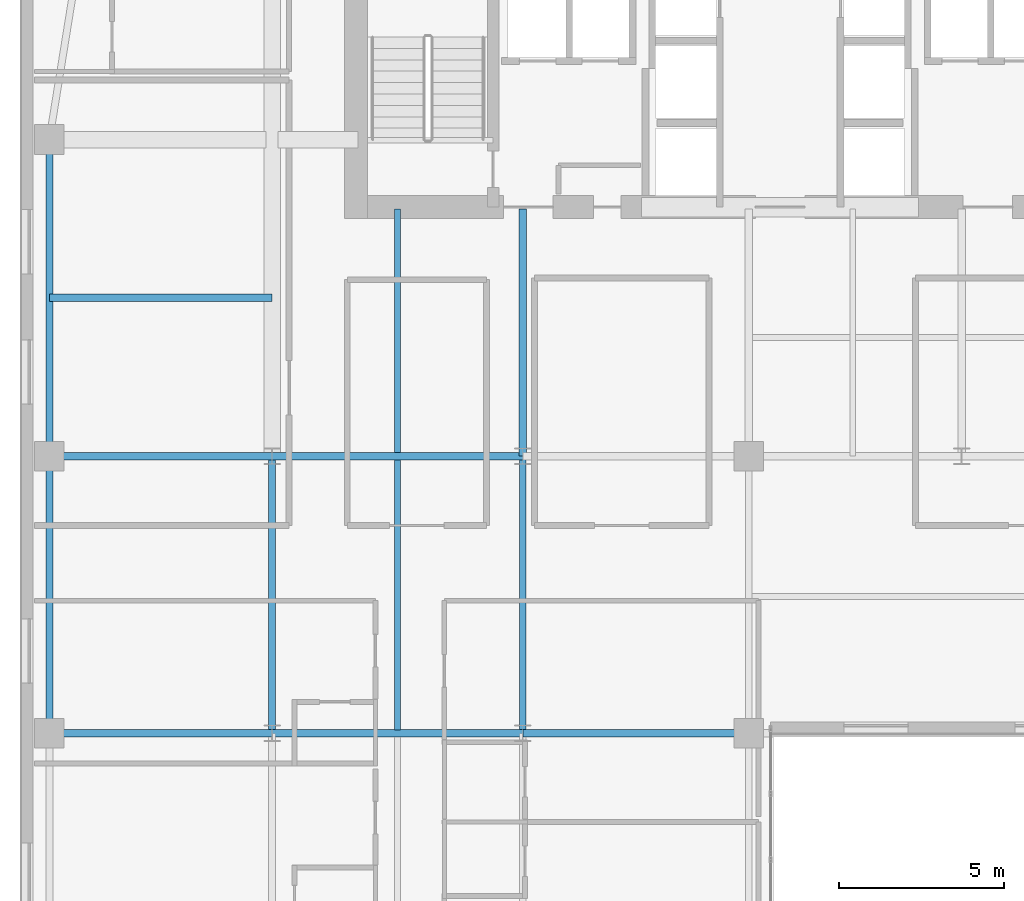
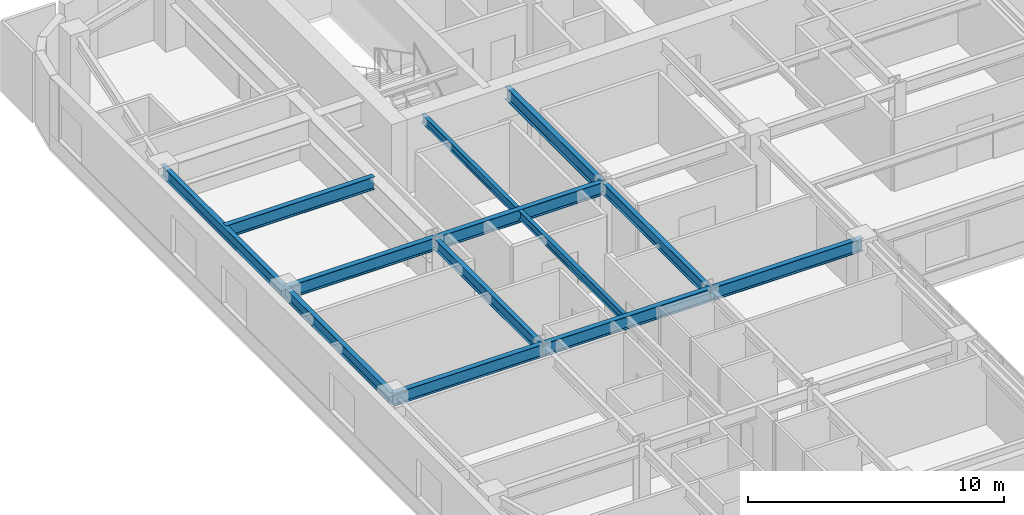
# One storey, part 4 of 25: 13 beams.
"""IFC4 building model written with IfcOpenShell, lengths in metres."""

from ifc_helpers import new_model, si_unit, direction, frame, origin, origin_2d, place, context, subcontext, project, spatial, i_section, extrude, source, transform, mapped, material, material_profile, profile_set, type_object, type_shapes, element, save


model = new_model("IFC4")

# Units and contexts
model_context = context("Model", 3, precision=1e-05, world=origin(), true_north=direction((0.0, 1.0)))
body_context = subcontext(model_context, "Body", "Model", "MODEL_VIEW")
ifc_project = project(units=[si_unit("LENGTHUNIT", "METRE"), si_unit("AREAUNIT", "SQUARE_METRE"), si_unit("VOLUMEUNIT", "CUBIC_METRE"), si_unit("PLANEANGLEUNIT", "RADIAN"), si_unit("MASSUNIT", "GRAM", prefix="KILO")], contexts=[model_context])

# Site, building, storey
site_placement = place(None, origin())
site = spatial("IfcSite", under=ifc_project, at=site_placement, CompositionType="ELEMENT")
building_placement = place(site_placement, origin())
building = spatial("IfcBuilding", under=site, at=building_placement, Name="Tolvann Quenvar Hotel", CompositionType="ELEMENT")
storey_placement = place(building_placement, frame((0.0, 0.0, 132.85009765625)))
storey = spatial("IfcBuildingStorey", under=building, at=storey_placement, Name="L34", CompositionType="ELEMENT", Elevation=132.85009765625)

# Beams
ifc_material = material(Name="Steel Grade 350", Category="steel")
ifc_material_profile_1 = material_profile(ifc_material, i_section(OverallWidth=0.22900390625, OverallDepth=0.612060546875, WebThickness=0.011962890625, FlangeThickness=0.01953125, FilletRadius=0.013916015625, at=origin_2d()), Name="610UB125")
ifc_profile_set_1 = profile_set([ifc_material_profile_1], Name="Steel Grade 350")
beam_type_1 = type_object("IfcBeamType", Name="BM_GIRD_610UB125", PredefinedType="BEAM", material=ifc_profile_set_1)
shared_shape_1 = source(origin(), body_context, "Body", "SweptSolid", [
    extrude(i_section(OverallWidth=0.22900390625, OverallDepth=0.612060546875, WebThickness=0.011962890625, FlangeThickness=0.01953125, FilletRadius=0.013916015625, at=origin_2d()), origin(), (0.0, 0.0, 1.0), 6.75),
])
for number, where, z_axis, x_axis, name in (
    (1, (0.85009765625, 16.0, 3.06396484375), (1.0, 0.0, 0.0), (0.0, 1.0, 0.0), "BM-L34-EW-4-B4-C4"),
    (2, (0.85009765625, 24.39990234375, 3.06396484375), (1.0, 0.0, 0.0), (0.0, 1.0, 0.0), "BM-L34-EW-5-B5-C5"),
    (3, (0.85009765625, 29.199951171875, 3.06396484375), (1.0, 0.0, 0.0), (0.0, 1.0, 0.0), "BM-L34-EW-BC29"),
):
    element("IfcBeam", number, at=place(storey_placement, frame(where, z_axis=z_axis, x_axis=x_axis)), inside=storey, type_object=beam_type_1, Name=name, PredefinedType="BEAM", context=body_context, shape_type="MappedRepresentation", body=[
        mapped(shared_shape_1, transform((0.0, 0.0, 0.0), x_axis=(1.0, 0.0, 0.0), y_axis=(0.0, 1.0, 0.0), z_axis=(0.0, 0.0, 1.0), scale=1.0)),
    ])
shared_shape_2 = source(origin(), body_context, "Body", "SweptSolid", [
    extrude(i_section(OverallWidth=0.22900390625, OverallDepth=0.612060546875, WebThickness=0.011962890625, FlangeThickness=0.01953125, FilletRadius=0.013916015625, at=origin_2d()), origin(), (0.0, 0.0, 1.0), 7.599853515625),
])
for number, where, z_axis, x_axis, name in (
    (4, (7.60009765625, 16.0, 3.06396484375), (1.0, 0.0, 0.0), (0.0, 1.0, 0.0), "BM-L34-EW-4-C4-D4"),
    (5, (7.60009765625, 24.39990234375, 3.06396484375), (1.0, 0.0, 0.0), (0.0, 1.0, 0.0), "BM-L34-EW-5-C5-D5"),
):
    element("IfcBeam", number, at=place(storey_placement, frame(where, z_axis=z_axis, x_axis=x_axis)), inside=storey, type_object=beam_type_1, Name=name, PredefinedType="BEAM", context=body_context, shape_type="MappedRepresentation", body=[
        mapped(shared_shape_2, transform((0.0, 0.0, 0.0), x_axis=(1.0, 0.0, 0.0), y_axis=(0.0, 1.0, 0.0), z_axis=(0.0, 0.0, 1.0), scale=1.0)),
    ])
shared_shape_3 = source(origin(), body_context, "Body", "SweptSolid", [
    extrude(i_section(OverallWidth=0.22900390625, OverallDepth=0.612060546875, WebThickness=0.011962890625, FlangeThickness=0.01953125, FilletRadius=0.013916015625, at=origin_2d()), origin(), (0.0, 0.0, 1.0), 6.85009765625),
])
beam_1_placement = place(storey_placement, frame((15.199951171875, 16.0, 3.06396484375), z_axis=(1.0, 0.0, 0.0), x_axis=(0.0, 1.0, 0.0)))
element("IfcBeam", 6, at=beam_1_placement, inside=storey, type_object=beam_type_1, Name="BM-L34-EW-4-D4-E4", PredefinedType="BEAM", context=body_context, shape_type="MappedRepresentation", body=[
    mapped(shared_shape_3, transform((0.0, 0.0, 0.0), x_axis=(1.0, 0.0, 0.0), y_axis=(0.0, 1.0, 0.0), z_axis=(0.0, 0.0, 1.0), scale=1.0)),
])
ifc_material_profile_2 = material_profile(ifc_material, i_section(OverallWidth=0.208984375, OverallDepth=0.528076171875, WebThickness=0.009521484375, FlangeThickness=0.01318359375, FilletRadius=0.013916015625, at=origin_2d()), Name="530UB82")
ifc_profile_set_2 = profile_set([ifc_material_profile_2], Name="Steel Grade 350")
beam_type_2 = type_object("IfcBeamType", Name="BM_SPAND_530UB82", PredefinedType="SPANDREL", material=ifc_profile_set_2)
shared_shape_4 = source(origin(), body_context, "Body", "SweptSolid", [
    extrude(i_section(OverallWidth=0.208984375, OverallDepth=0.528076171875, WebThickness=0.009521484375, FlangeThickness=0.01318359375, FilletRadius=0.013916015625, at=origin_2d()), origin(), (0.0, 0.0, 1.0), 8.39990234375),
])
beam_2_placement = place(storey_placement, frame((0.85009765625, 16.0, 3.10595703125), z_axis=(0.0, 1.0, 0.0), x_axis=(-1.0, 0.0, 0.0)))
element("IfcBeam", 7, at=beam_2_placement, inside=storey, type_object=beam_type_2, Name="BM-L34-NS-B4-B5", PredefinedType="SPANDREL", context=body_context, shape_type="MappedRepresentation", body=[
    mapped(shared_shape_4, transform((0.0, 0.0, 0.0), x_axis=(1.0, 0.0, 0.0), y_axis=(0.0, 1.0, 0.0), z_axis=(0.0, 0.0, 1.0), scale=1.0)),
])
ifc_material_profile_3 = material_profile(ifc_material, i_section(OverallWidth=0.208984375, OverallDepth=0.532958984375, WebThickness=0.01025390625, FlangeThickness=0.015625, FilletRadius=0.013916015625, at=origin_2d()), Name="530UB92")
ifc_profile_set_3 = profile_set([ifc_material_profile_3], Name="Steel Grade 350")
beam_type_3 = type_object("IfcBeamType", Name="BM_GIRD_530UB92", PredefinedType="BEAM", material=ifc_profile_set_3)
shared_shape_5 = source(origin(), body_context, "Body", "SweptSolid", [
    extrude(i_section(OverallWidth=0.208984375, OverallDepth=0.532958984375, WebThickness=0.01025390625, FlangeThickness=0.015625, FilletRadius=0.013916015625, at=origin_2d()), origin(), (0.0, 0.0, 1.0), 8.39990234375),
])
type_shapes(beam_type_3, [shared_shape_5])
for number, where, z_axis, x_axis, name in (
    (8, (7.60009765625, 16.0, 3.103515625), (0.0, 1.0, 0.0), (-1.0, 0.0, 0.0), "BM-L34-NS-C4-C5"),
    (9, (15.199951171875, 16.0, 3.103515625), (0.0, 1.0, 0.0), (-1.0, 0.0, 0.0), "BM-L34-NS-D4-D5"),
):
    element("IfcBeam", number, at=place(storey_placement, frame(where, z_axis=z_axis, x_axis=x_axis)), inside=storey, type_object=beam_type_3, Name=name, PredefinedType="BEAM", context=body_context, shape_type="MappedRepresentation", body=[
        mapped(shared_shape_5, transform((0.0, 0.0, 0.0), x_axis=(1.0, 0.0, 0.0), y_axis=(0.0, 1.0, 0.0), z_axis=(0.0, 0.0, 1.0), scale=1.0)),
    ])
shared_shape_6 = source(origin(), body_context, "Body", "SweptSolid", [
    extrude(i_section(OverallWidth=0.22900390625, OverallDepth=0.612060546875, WebThickness=0.011962890625, FlangeThickness=0.01953125, FilletRadius=0.013916015625, at=origin_2d()), origin(), (0.0, 0.0, 1.0), 7.5),
])
type_shapes(beam_type_1, [shared_shape_1, shared_shape_2, shared_shape_3, shared_shape_6])
beam_3_placement = place(storey_placement, frame((15.199951171875, 24.39990234375, 3.06396484375), z_axis=(0.0, 1.0, 0.0), x_axis=(-1.0, 0.0, 0.0)))
element("IfcBeam", 10, at=beam_3_placement, inside=storey, type_object=beam_type_1, Name="BM-L34-CORE-D5", PredefinedType="BEAM", context=body_context, shape_type="MappedRepresentation", body=[
    mapped(shared_shape_6, transform((0.0, 0.0, 0.0), x_axis=(1.0, 0.0, 0.0), y_axis=(0.0, 1.0, 0.0), z_axis=(0.0, 0.0, 1.0), scale=1.0)),
])
shared_shape_7 = source(origin(), body_context, "Body", "SweptSolid", [
    extrude(i_section(OverallWidth=0.208984375, OverallDepth=0.528076171875, WebThickness=0.009521484375, FlangeThickness=0.01318359375, FilletRadius=0.013916015625, at=origin_2d()), origin(), (0.0, 0.0, 1.0), 9.60009765625),
])
type_shapes(beam_type_2, [shared_shape_4, shared_shape_7])
beam_4_placement = place(storey_placement, frame((0.85009765625, 24.39990234375, 3.10595703125), z_axis=(0.0, 1.0, 0.0), x_axis=(-1.0, 0.0, 0.0)))
element("IfcBeam", 11, at=beam_4_placement, inside=storey, type_object=beam_type_2, Name="BM-L34-FLK-W1", PredefinedType="SPANDREL", context=body_context, shape_type="MappedRepresentation", body=[
    mapped(shared_shape_7, transform((0.0, 0.0, 0.0), x_axis=(1.0, 0.0, 0.0), y_axis=(0.0, 1.0, 0.0), z_axis=(0.0, 0.0, 1.0), scale=1.0)),
])
ifc_material_profile_4 = material_profile(ifc_material, i_section(OverallWidth=0.177978515625, OverallDepth=0.406005859375, WebThickness=0.0078125, FlangeThickness=0.0126953125, FilletRadius=0.011474609375, at=origin_2d()), Name="410UB60")
ifc_profile_set_4 = profile_set([ifc_material_profile_4], Name="Steel Grade 350")
beam_type_4 = type_object("IfcBeamType", Name="BM_JOIST_410UB60", PredefinedType="JOIST", material=ifc_profile_set_4)
shared_shape_8 = source(origin(), body_context, "Body", "SweptSolid", [
    extrude(i_section(OverallWidth=0.177978515625, OverallDepth=0.406005859375, WebThickness=0.0078125, FlangeThickness=0.0126953125, FilletRadius=0.011474609375, at=origin_2d()), origin(), (0.0, 0.0, 1.0), 8.18310546875),
])
beam_5_placement = place(storey_placement, frame((11.39990234375, 16.1083984375, 3.1669921875), z_axis=(0.0, 1.0, 0.0), x_axis=(-1.0, 0.0, 0.0)))
element("IfcBeam", 12, at=beam_5_placement, inside=storey, type_object=beam_type_4, Name="BJ-L34-114-160", PredefinedType="JOIST", context=body_context, shape_type="MappedRepresentation", body=[
    mapped(shared_shape_8, transform((0.0, 0.0, 0.0), x_axis=(1.0, 0.0, 0.0), y_axis=(0.0, 1.0, 0.0), z_axis=(0.0, 0.0, 1.0), scale=1.0)),
])
shared_shape_9 = source(origin(), body_context, "Body", "SweptSolid", [
    extrude(i_section(OverallWidth=0.177978515625, OverallDepth=0.406005859375, WebThickness=0.0078125, FlangeThickness=0.0126953125, FilletRadius=0.011474609375, at=origin_2d()), origin(), (0.0, 0.0, 1.0), 7.391357421875),
])
type_shapes(beam_type_4, [shared_shape_8, shared_shape_9])
beam_6_placement = place(storey_placement, frame((11.39990234375, 24.508544921875, 3.1669921875), z_axis=(0.0, 1.0, 0.0), x_axis=(-1.0, 0.0, 0.0)))
element("IfcBeam", 13, at=beam_6_placement, inside=storey, type_object=beam_type_4, Name="BJ-L34-114-244", PredefinedType="JOIST", context=body_context, shape_type="MappedRepresentation", body=[
    mapped(shared_shape_9, transform((0.0, 0.0, 0.0), x_axis=(1.0, 0.0, 0.0), y_axis=(0.0, 1.0, 0.0), z_axis=(0.0, 0.0, 1.0), scale=1.0)),
])

save(model, "model.ifc")
